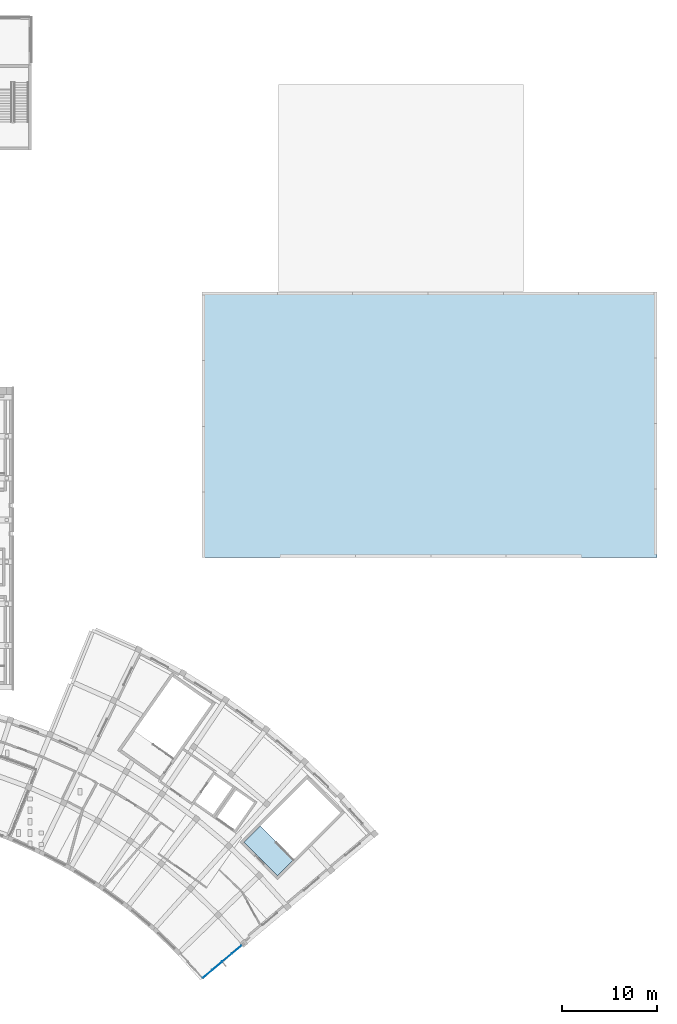
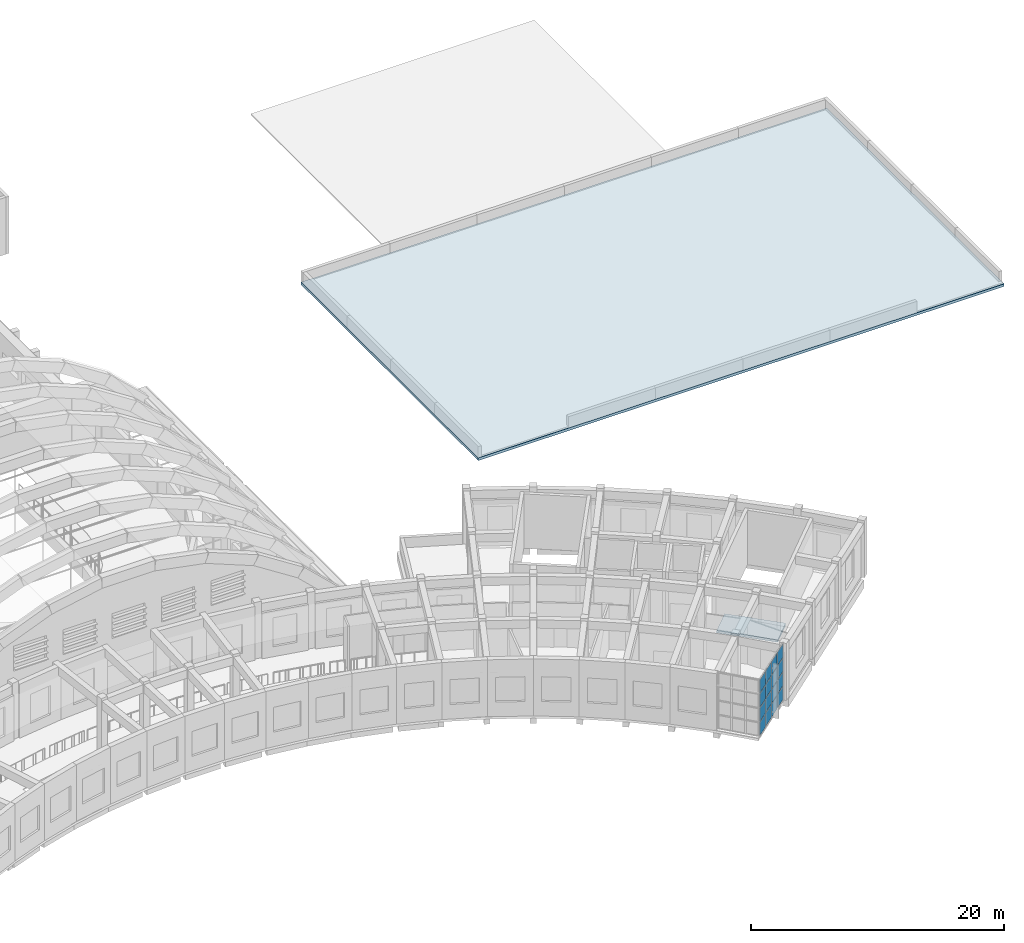
# One storey, part 58 of 94: 16 plates, 2 slabs, 1 element without a shape of its own.
"""IFC4 building model written with IfcOpenShell, lengths in metres."""

from ifc_helpers import new_model, si_unit, direction, frame, origin, origin_2d, place, context, subcontext, project, spatial, polyline, rectangle, outline, extrude, material, layer, layer_set, type_object, element, aggregate, save


model = new_model("IFC4")

# Units and contexts
model_context = context("Model", 3, precision=1e-05, world=origin(), true_north=direction((0.0, 1.0)))
body_context = subcontext(model_context, "Body", "Model", "MODEL_VIEW")
ifc_project = project(units=[si_unit("LENGTHUNIT", "METRE"), si_unit("AREAUNIT", "SQUARE_METRE"), si_unit("VOLUMEUNIT", "CUBIC_METRE"), si_unit("PLANEANGLEUNIT", "RADIAN"), si_unit("MASSUNIT", "GRAM", prefix="KILO")], contexts=[model_context])

# Site, building, storey
site_placement = place(None, origin())
site = spatial("IfcSite", under=ifc_project, at=site_placement, CompositionType="ELEMENT")
building_placement = place(site_placement, origin())
building = spatial("IfcBuilding", under=site, at=building_placement, Name="Lunette Opera House", CompositionType="ELEMENT")
storey_placement = place(building_placement, frame((0.0, 0.0, 22.5)))
storey = spatial("IfcBuildingStorey", under=building, at=storey_placement, Name="L04", CompositionType="ELEMENT", Elevation=22.5)

# Slab
ifc_material_1 = material(Name="Concrete C35/45", Category="concrete")
ifc_layer_1 = layer(ifc_material_1, 0.219970703125)
ifc_layer_set_1 = layer_set([ifc_layer_1], Name="Concrete C35/45")
slab_type_1 = type_object("IfcSlabType", Name="CORE LANDING SLAB 220", PredefinedType="LANDING", material=ifc_layer_set_1)
slab_1_placement = place(storey_placement, frame((0.0, 0.0, -0.219970703125)))
element("IfcSlab", 1, at=slab_1_placement, inside=storey, type_object=slab_type_1, Name="ST4 floor landing", PredefinedType="LANDING", context=body_context, shape_type="SweptSolid", body=[
    extrude(outline(polyline([(145.674072265625, 46.137939453125), (143.97705078125, 44.44091796875), (140.44091796875, 47.97705078125), (142.14501953125, 49.680908203125), (143.842041015625, 47.98388671875), (143.8349609375, 47.97705078125), (145.674072265625, 46.137939453125)])), origin(), (0.0, 0.0, 1.0), 0.219970703125),
])

# Curtain wall, plates
ifc_material_2 = material(Name="Aluminium", Category="aluminium")
ifc_layer_2 = layer(ifc_material_2, 0.159912109375)
ifc_layer_set_2 = layer_set([ifc_layer_2], Name="Aluminium")
curtain_wall_type = type_object("IfcCurtainWallType", Name="CORNER CURTAIN WALL", PredefinedType="NOTDEFINED", material=ifc_layer_set_2)
curtain_wall_placement = place(storey_placement, origin())
curtain_wall = element("IfcCurtainWall", 2, at=curtain_wall_placement, inside=storey, type_object=curtain_wall_type, Name="Corner Curtain Wall GC-E2 L04", PredefinedType="NOTDEFINED")
ifc_material_3 = material(Name="Laminated glass", Category="glass")
ifc_layer_3 = layer(ifc_material_3, 0.028076171875)
ifc_layer_set_3 = layer_set([ifc_layer_3], Name="Laminated glass")
plate_type = type_object("IfcPlateType", Name="CURTAIN PANEL LAMINATED GLASS 28", PredefinedType="CURTAIN_PANEL", material=ifc_layer_set_3)
plate_1_placement = place(storey_placement, frame((136.592529296875, 34.0615234375, 0.06005859375), z_axis=(0.0, 0.0, 1.0), x_axis=(0.766000309852, 0.642840201999, 0.0)))
plate_1 = element("IfcPlate", 3, at=plate_1_placement, type_object=plate_type, Name="FC-X2180 panel 1.1", PredefinedType="CURTAIN_PANEL", context=body_context, shape_type="SweptSolid", body=[
    extrude(rectangle(XDim=1.259765625, YDim=0.028076171875, at=origin_2d()), origin(), (0.0, 0.0, 1.0), 1.284912109375),
])
plate_2_placement = place(storey_placement, frame((136.592529296875, 34.0615234375, 1.405029296875), z_axis=(0.0, 0.0, 1.0), x_axis=(0.766000309852, 0.642840201999, 0.0)))
plate_2 = element("IfcPlate", 4, at=plate_2_placement, type_object=plate_type, Name="FC-X2180 panel 1.2", PredefinedType="CURTAIN_PANEL", context=body_context, shape_type="SweptSolid", body=[
    extrude(rectangle(XDim=1.259765625, YDim=0.028076171875, at=origin_2d()), origin(), (0.0, 0.0, 1.0), 1.31494140625),
])
plate_3_placement = place(storey_placement, frame((136.592529296875, 34.0615234375, 2.780029296875), z_axis=(0.0, 0.0, 1.0), x_axis=(0.766000309852, 0.642840201999, 0.0)))
plate_3 = element("IfcPlate", 5, at=plate_3_placement, type_object=plate_type, Name="FC-X2180 panel 1.3", PredefinedType="CURTAIN_PANEL", context=body_context, shape_type="SweptSolid", body=[
    extrude(rectangle(XDim=1.259765625, YDim=0.028076171875, at=origin_2d()), origin(), (0.0, 0.0, 1.0), 1.31494140625),
])
plate_4_placement = place(storey_placement, frame((136.592529296875, 34.0615234375, 4.1552734375), z_axis=(0.0, 0.0, 1.0), x_axis=(0.766000309852, 0.642840201999, 0.0)))
plate_4 = element("IfcPlate", 6, at=plate_4_placement, type_object=plate_type, Name="FC-X2180 panel 1.4", PredefinedType="CURTAIN_PANEL", context=body_context, shape_type="SweptSolid", body=[
    extrude(rectangle(XDim=1.259765625, YDim=0.028076171875, at=origin_2d()), origin(), (0.0, 0.0, 1.0), 1.284912109375),
])
plate_5_placement = place(storey_placement, frame((137.614990234375, 34.919677734375, 0.06005859375), z_axis=(0.0, 0.0, 1.0), x_axis=(0.766000309852, 0.642840201999, 0.0)))
plate_5 = element("IfcPlate", 7, at=plate_5_placement, type_object=plate_type, Name="FC-X2180 panel 2.1", PredefinedType="CURTAIN_PANEL", context=body_context, shape_type="SweptSolid", body=[
    extrude(rectangle(XDim=1.289794921875, YDim=0.028076171875, at=origin_2d()), origin(), (0.0, 0.0, 1.0), 1.284912109375),
])
plate_6_placement = place(storey_placement, frame((137.614990234375, 34.919677734375, 1.405029296875), z_axis=(0.0, 0.0, 1.0), x_axis=(0.766000309852, 0.642840201999, 0.0)))
plate_6 = element("IfcPlate", 8, at=plate_6_placement, type_object=plate_type, Name="FC-X2180 panel 2.2", PredefinedType="CURTAIN_PANEL", context=body_context, shape_type="SweptSolid", body=[
    extrude(rectangle(XDim=1.289794921875, YDim=0.028076171875, at=origin_2d()), origin(), (0.0, 0.0, 1.0), 1.31494140625),
])
plate_7_placement = place(storey_placement, frame((137.614990234375, 34.919677734375, 2.780029296875), z_axis=(0.0, 0.0, 1.0), x_axis=(0.766000309852, 0.642840201999, 0.0)))
plate_7 = element("IfcPlate", 9, at=plate_7_placement, type_object=plate_type, Name="FC-X2180 panel 2.3", PredefinedType="CURTAIN_PANEL", context=body_context, shape_type="SweptSolid", body=[
    extrude(rectangle(XDim=1.289794921875, YDim=0.028076171875, at=origin_2d()), origin(), (0.0, 0.0, 1.0), 1.31494140625),
])
plate_8_placement = place(storey_placement, frame((137.614990234375, 34.919677734375, 4.1552734375), z_axis=(0.0, 0.0, 1.0), x_axis=(0.766000309852, 0.642840201999, 0.0)))
plate_8 = element("IfcPlate", 10, at=plate_8_placement, type_object=plate_type, Name="FC-X2180 panel 2.4", PredefinedType="CURTAIN_PANEL", context=body_context, shape_type="SweptSolid", body=[
    extrude(rectangle(XDim=1.289794921875, YDim=0.028076171875, at=origin_2d()), origin(), (0.0, 0.0, 1.0), 1.284912109375),
])
plate_9_placement = place(storey_placement, frame((138.64892578125, 35.787353515625, 0.06005859375), z_axis=(0.0, 0.0, 1.0), x_axis=(0.766000309852, 0.642840201999, 0.0)))
plate_9 = element("IfcPlate", 11, at=plate_9_placement, type_object=plate_type, Name="FC-X2180 panel 3.1", PredefinedType="CURTAIN_PANEL", context=body_context, shape_type="SweptSolid", body=[
    extrude(rectangle(XDim=1.289794921875, YDim=0.028076171875, at=origin_2d()), origin(), (0.0, 0.0, 1.0), 1.284912109375),
])
plate_10_placement = place(storey_placement, frame((138.64892578125, 35.787353515625, 1.405029296875), z_axis=(0.0, 0.0, 1.0), x_axis=(0.766000309852, 0.642840201999, 0.0)))
plate_10 = element("IfcPlate", 12, at=plate_10_placement, type_object=plate_type, Name="FC-X2180 panel 3.2", PredefinedType="CURTAIN_PANEL", context=body_context, shape_type="SweptSolid", body=[
    extrude(rectangle(XDim=1.289794921875, YDim=0.028076171875, at=origin_2d()), origin(), (0.0, 0.0, 1.0), 1.31494140625),
])
plate_11_placement = place(storey_placement, frame((138.64892578125, 35.787353515625, 2.780029296875), z_axis=(0.0, 0.0, 1.0), x_axis=(0.766000309852, 0.642840201999, 0.0)))
plate_11 = element("IfcPlate", 13, at=plate_11_placement, type_object=plate_type, Name="FC-X2180 panel 3.3", PredefinedType="CURTAIN_PANEL", context=body_context, shape_type="SweptSolid", body=[
    extrude(rectangle(XDim=1.289794921875, YDim=0.028076171875, at=origin_2d()), origin(), (0.0, 0.0, 1.0), 1.31494140625),
])
plate_12_placement = place(storey_placement, frame((138.64892578125, 35.787353515625, 4.1552734375), z_axis=(0.0, 0.0, 1.0), x_axis=(0.766000309852, 0.642840201999, 0.0)))
plate_12 = element("IfcPlate", 14, at=plate_12_placement, type_object=plate_type, Name="FC-X2180 panel 3.4", PredefinedType="CURTAIN_PANEL", context=body_context, shape_type="SweptSolid", body=[
    extrude(rectangle(XDim=1.289794921875, YDim=0.028076171875, at=origin_2d()), origin(), (0.0, 0.0, 1.0), 1.284912109375),
])
plate_13_placement = place(storey_placement, frame((139.671630859375, 36.6455078125, 0.06005859375), z_axis=(0.0, 0.0, 1.0), x_axis=(0.766000309852, 0.642840201999, 0.0)))
plate_13 = element("IfcPlate", 15, at=plate_13_placement, type_object=plate_type, Name="FC-X2180 panel 4.1", PredefinedType="CURTAIN_PANEL", context=body_context, shape_type="SweptSolid", body=[
    extrude(rectangle(XDim=1.259765625, YDim=0.028076171875, at=origin_2d()), origin(), (0.0, 0.0, 1.0), 1.284912109375),
])
plate_14_placement = place(storey_placement, frame((139.671630859375, 36.6455078125, 1.405029296875), z_axis=(0.0, 0.0, 1.0), x_axis=(0.766000309852, 0.642840201999, 0.0)))
plate_14 = element("IfcPlate", 16, at=plate_14_placement, type_object=plate_type, Name="FC-X2180 panel 4.2", PredefinedType="CURTAIN_PANEL", context=body_context, shape_type="SweptSolid", body=[
    extrude(rectangle(XDim=1.259765625, YDim=0.028076171875, at=origin_2d()), origin(), (0.0, 0.0, 1.0), 1.31494140625),
])
plate_15_placement = place(storey_placement, frame((139.671630859375, 36.6455078125, 2.780029296875), z_axis=(0.0, 0.0, 1.0), x_axis=(0.766000309852, 0.642840201999, 0.0)))
plate_15 = element("IfcPlate", 17, at=plate_15_placement, type_object=plate_type, Name="FC-X2180 panel 4.3", PredefinedType="CURTAIN_PANEL", context=body_context, shape_type="SweptSolid", body=[
    extrude(rectangle(XDim=1.259765625, YDim=0.028076171875, at=origin_2d()), origin(), (0.0, 0.0, 1.0), 1.31494140625),
])
plate_16_placement = place(storey_placement, frame((139.671630859375, 36.6455078125, 4.1552734375), z_axis=(0.0, 0.0, 1.0), x_axis=(0.766000309852, 0.642840201999, 0.0)))
plate_16 = element("IfcPlate", 18, at=plate_16_placement, type_object=plate_type, Name="FC-X2180 panel 4.4", PredefinedType="CURTAIN_PANEL", context=body_context, shape_type="SweptSolid", body=[
    extrude(rectangle(XDim=1.259765625, YDim=0.028076171875, at=origin_2d()), origin(), (0.0, 0.0, 1.0), 1.284912109375),
])
aggregate(curtain_wall, [plate_1, plate_2, plate_3, plate_4, plate_5, plate_6, plate_7, plate_8, plate_9, plate_10, plate_11, plate_12, plate_13, plate_14, plate_15, plate_16])

# Slab
ifc_material_4 = material(Name="Concrete C35/45", Category="concrete")
ifc_layer_4 = layer(ifc_material_4, 0.25)
ifc_layer_set_4 = layer_set([ifc_layer_4], Name="Concrete C35/45")
slab_type_2 = type_object("IfcSlabType", Name="ROOF SLAB 250", PredefinedType="ROOF", material=ifc_layer_set_4)
slab_2_placement = place(storey_placement, frame((0.0, 0.0, -0.25)))
element("IfcSlab", 19, at=slab_2_placement, inside=storey, type_object=slab_type_2, Name="slab-WW-L03-R11", PredefinedType="ROOF", context=body_context, shape_type="SweptSolid", body=[
    extrude(outline(polyline([(184.0, 78.0), (184.0, 106.0), (136.0, 106.0), (136.0, 78.0), (184.0, 78.0)])), origin(), (0.0, 0.0, 1.0), 0.25),
])

save(model, "model.ifc")
